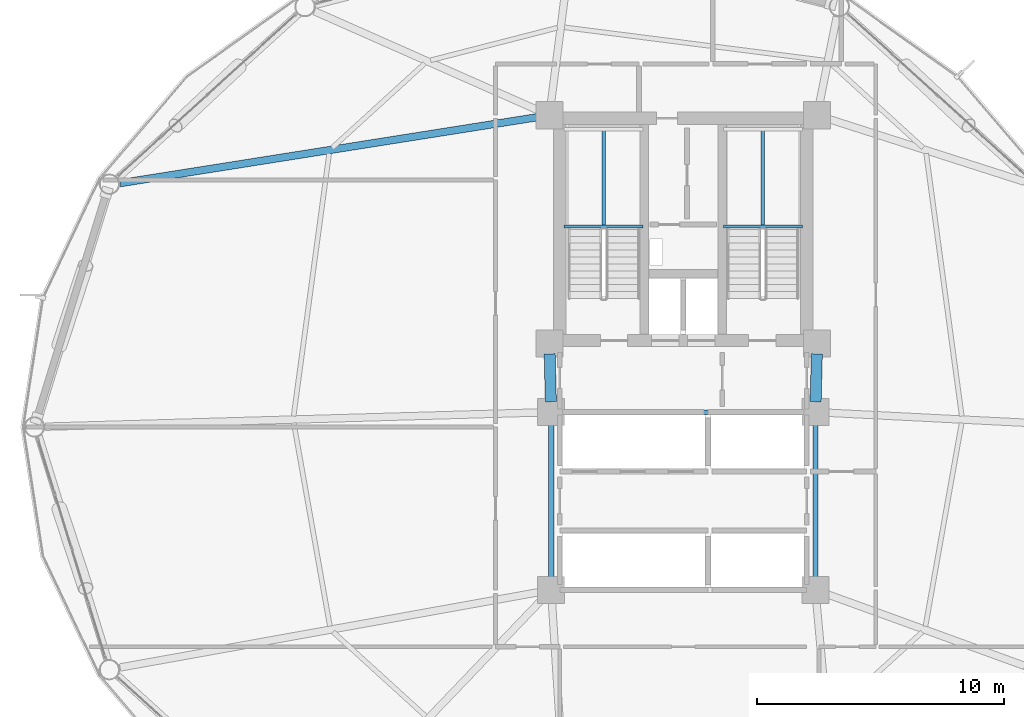
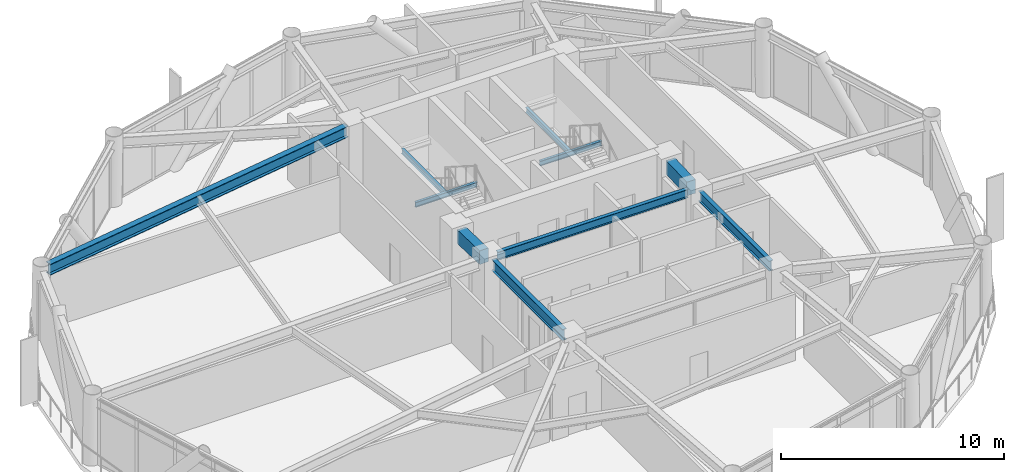
# One storey, part 11 of 25: 10 beams.
"""IFC4 building model written with IfcOpenShell, lengths in metres."""

from ifc_helpers import new_model, si_unit, direction, frame, origin, origin_2d, place, context, subcontext, project, spatial, rectangle, i_section, extrude, material, material_profile, profile_set, type_object, element, save


model = new_model("IFC4")

# Units and contexts
model_context = context("Model", 3, precision=1e-05, world=origin(), true_north=direction((0.0, 1.0)))
body_context = subcontext(model_context, "Body", "Model", "MODEL_VIEW")
ifc_project = project(units=[si_unit("LENGTHUNIT", "METRE"), si_unit("AREAUNIT", "SQUARE_METRE"), si_unit("VOLUMEUNIT", "CUBIC_METRE"), si_unit("PLANEANGLEUNIT", "RADIAN"), si_unit("MASSUNIT", "GRAM", prefix="KILO")], contexts=[model_context])

# Site, building, storey
site_placement = place(None, origin())
site = spatial("IfcSite", under=ifc_project, at=site_placement, CompositionType="ELEMENT")
building_placement = place(site_placement, origin())
building = spatial("IfcBuilding", under=site, at=building_placement, Name="Varnakorn Sky Granary", CompositionType="ELEMENT")
storey_placement = place(building_placement, frame((0.0, 0.0, 91.5)))
storey = spatial("IfcBuildingStorey", under=building, at=storey_placement, Name="L22", CompositionType="ELEMENT", Elevation=91.5)

# Beams
ifc_material_1 = material(Name="Steel S355JR", Category="steel")
ifc_material_profile_1 = material_profile(ifc_material_1, i_section(OverallWidth=0.2099609375, OverallDepth=0.550048828125, WebThickness=0.010986328125, FlangeThickness=0.01708984375, at=origin_2d()), Name="IPE 550")
ifc_profile_set_1 = profile_set([ifc_material_profile_1], Name="Steel S355JR")
beam_type_1 = type_object("IfcBeamType", Name="BM-JST-550", PredefinedType="JOIST", material=ifc_profile_set_1)
beam_1_placement = place(storey_placement, frame((8.35009765625, 0.179931640625, 3.364990234375), z_axis=(0.0, -1.0, 0.0), x_axis=(1.0, 0.0, 0.0)))
element("IfcBeam", 1, at=beam_1_placement, inside=storey, type_object=beam_type_1, Name="Core Spine Framing Beam 4 L22", PredefinedType="JOIST", context=body_context, shape_type="SweptSolid", body=[
    extrude(i_section(OverallWidth=0.2099609375, OverallDepth=0.550048828125, WebThickness=0.010986328125, FlangeThickness=0.01708984375, at=origin_2d()), origin(), (0.0, 0.0, 1.0), 6.35986328125),
])
ifc_material_profile_2 = material_profile(ifc_material_1, i_section(OverallWidth=0.219970703125, OverallDepth=0.60009765625, WebThickness=0.011962890625, FlangeThickness=0.01904296875, at=origin_2d()), Name="IPE 600")
ifc_profile_set_2 = profile_set([ifc_material_profile_2], Name="Steel S355JR")
beam_type_2 = type_object("IfcBeamType", Name="BM-JST-600", PredefinedType="JOIST", material=ifc_profile_set_2)
beam_2_placement = place(storey_placement, frame((-2.35009765625, 0.179931640625, 3.340087890625), z_axis=(0.0, -1.0, 0.0), x_axis=(1.0, 0.0, 0.0)))
element("IfcBeam", 2, at=beam_2_placement, inside=storey, type_object=beam_type_2, Name="Core Spine Framing Beam 3 L22", PredefinedType="JOIST", context=body_context, shape_type="SweptSolid", body=[
    extrude(i_section(OverallWidth=0.219970703125, OverallDepth=0.60009765625, WebThickness=0.011962890625, FlangeThickness=0.01904296875, at=origin_2d()), origin(), (0.0, 0.0, 1.0), 6.35986328125),
])
ifc_material_2 = material(Name="Concrete C60/75", Category="concrete")
ifc_material_profile_3 = material_profile(ifc_material_2, rectangle(XDim=0.449951171875, YDim=0.75, at=origin_2d()), Name="RC 450x750")
ifc_profile_set_3 = profile_set([ifc_material_profile_3], Name="Concrete C60/75")
beam_type_3 = type_object("IfcBeamType", Name="BM-LIN-750", PredefinedType="LINTEL", material=ifc_profile_set_3)
for number, where, z_axis, x_axis, name in (
    (3, (-2.409423828125, 2.960205078125, 3.264892578125), (0.025158763514, -0.999683468213, 0.0), (0.999683468213, 0.025158763514, 0.0), "Core Spine Framing Beam 1 L22"),
    (4, (8.409423828125, 2.960205078125, 3.264892578125), (-0.025158763514, -0.999683468213, 0.0), (0.999683468213, -0.025158763514, 0.0), "Core Spine Framing Beam 2 L22"),
):
    element("IfcBeam", number, at=place(storey_placement, frame(where, z_axis=z_axis, x_axis=x_axis)), inside=storey, type_object=beam_type_3, Name=name, PredefinedType="LINTEL", context=body_context, shape_type="SweptSolid", body=[
        extrude(rectangle(XDim=0.449951171875, YDim=0.75, at=origin_2d()), origin(), (0.0, 0.0, 1.0), 1.94091796875),
    ])
ifc_material_profile_4 = material_profile(ifc_material_1, i_section(OverallWidth=0.135009765625, OverallDepth=0.27001953125, WebThickness=0.006591796875, FlangeThickness=0.01025390625, at=origin_2d()), Name="IPE 270")
ifc_profile_set_4 = profile_set([ifc_material_profile_4], Name="Steel S355JR")
beam_type_4 = type_object("IfcBeamType", Name="BM-LND-270", PredefinedType="BEAM", material=ifc_profile_set_4)
beam_3_placement = place(storey_placement, frame((-1.820068359375, 8.1201171875, 1.614990234375), z_axis=(1.0, 0.0, 0.0), x_axis=(0.0, 1.0, 0.0)))
element("IfcBeam", 5, at=beam_3_placement, inside=storey, type_object=beam_type_4, Name="Stair ST-1 Landing Trimmer Beam A L22-1", PredefinedType="BEAM", context=body_context, shape_type="SweptSolid", body=[
    extrude(i_section(OverallWidth=0.135009765625, OverallDepth=0.27001953125, WebThickness=0.006591796875, FlangeThickness=0.01025390625, at=origin_2d()), origin(), (0.0, 0.0, 1.0), 3.199951171875),
])
beam_4_placement = place(storey_placement, frame((-0.219970703125, 8.1201171875, 1.614990234375), z_axis=(0.0, 1.0, 0.0), x_axis=(-1.0, 0.0, 0.0)))
element("IfcBeam", 6, at=beam_4_placement, inside=storey, type_object=beam_type_4, Name="Stair ST-1 Landing Cross Beam C L22-1", PredefinedType="BEAM", context=body_context, shape_type="SweptSolid", body=[
    extrude(i_section(OverallWidth=0.135009765625, OverallDepth=0.27001953125, WebThickness=0.006591796875, FlangeThickness=0.01025390625, at=origin_2d()), origin(), (0.0, 0.0, 1.0), 3.93994140625),
])
beam_5_placement = place(storey_placement, frame((4.6201171875, 8.1201171875, 1.614990234375), z_axis=(1.0, 0.0, 0.0), x_axis=(0.0, 1.0, 0.0)))
element("IfcBeam", 7, at=beam_5_placement, inside=storey, type_object=beam_type_4, Name="Stair ST-2 Landing Trimmer Beam A L22-1", PredefinedType="BEAM", context=body_context, shape_type="SweptSolid", body=[
    extrude(i_section(OverallWidth=0.135009765625, OverallDepth=0.27001953125, WebThickness=0.006591796875, FlangeThickness=0.01025390625, at=origin_2d()), origin(), (0.0, 0.0, 1.0), 3.199951171875),
])
beam_6_placement = place(storey_placement, frame((6.219970703125, 8.1201171875, 1.614990234375), z_axis=(0.0, 1.0, 0.0), x_axis=(-1.0, 0.0, 0.0)))
element("IfcBeam", 8, at=beam_6_placement, inside=storey, type_object=beam_type_4, Name="Stair ST-2 Landing Cross Beam C L22-1", PredefinedType="BEAM", context=body_context, shape_type="SweptSolid", body=[
    extrude(i_section(OverallWidth=0.135009765625, OverallDepth=0.27001953125, WebThickness=0.006591796875, FlangeThickness=0.01025390625, at=origin_2d()), origin(), (0.0, 0.0, 1.0), 3.93994140625),
])
ifc_material_profile_5 = material_profile(ifc_material_1, i_section(OverallWidth=0.300048828125, OverallDepth=0.60009765625, WebThickness=0.015380859375, FlangeThickness=0.030029296875, at=origin_2d()), Name="HE 600 B")
ifc_profile_set_5 = profile_set([ifc_material_profile_5], Name="Steel S355JR")
beam_type_5 = type_object("IfcBeamType", Name="BM-RAD-Z2", PredefinedType="BEAM", material=ifc_profile_set_5)
beam_7_placement = place(storey_placement, frame((-2.834716796875, 12.554443359375, 3.340087890625), z_axis=(-0.987727105315, -0.156189517661, 0.0), x_axis=(0.156189517661, -0.987727105315, 0.0)))
element("IfcBeam", 9, at=beam_7_placement, inside=storey, type_object=beam_type_5, Name="Radial Floor Girder RG06 L22", PredefinedType="BEAM", context=body_context, shape_type="SweptSolid", body=[
    extrude(i_section(OverallWidth=0.300048828125, OverallDepth=0.60009765625, WebThickness=0.015380859375, FlangeThickness=0.030029296875, at=origin_2d()), origin(), (0.0, 0.0, 1.0), 17.18017578125),
])
ifc_material_profile_6 = material_profile(ifc_material_1, i_section(OverallWidth=0.18994140625, OverallDepth=0.449951171875, WebThickness=0.009521484375, FlangeThickness=0.0146484375, at=origin_2d()), Name="IPE 450")
ifc_profile_set_6 = profile_set([ifc_material_profile_6], Name="Steel S355JR")
beam_type_6 = type_object("IfcBeamType", Name="BM-SEC-Z2", PredefinedType="BEAM", material=ifc_profile_set_6)
beam_8_placement = place(storey_placement, frame((-1.929931640625, 0.60009765625, 3.4150390625), z_axis=(1.0, 0.0, 0.0), x_axis=(0.0, 1.0, 0.0)))
element("IfcBeam", 10, at=beam_8_placement, inside=storey, type_object=beam_type_6, Name="Core Spine Framing Beam 5 L22", PredefinedType="BEAM", context=body_context, shape_type="SweptSolid", body=[
    extrude(i_section(OverallWidth=0.18994140625, OverallDepth=0.449951171875, WebThickness=0.009521484375, FlangeThickness=0.0146484375, at=origin_2d()), origin(), (0.0, 0.0, 1.0), 9.85986328125),
])

save(model, "model.ifc")
